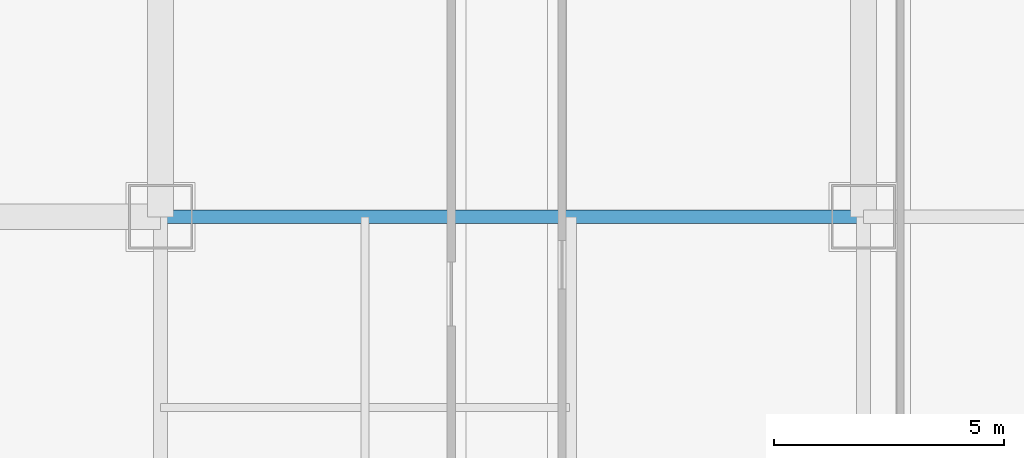
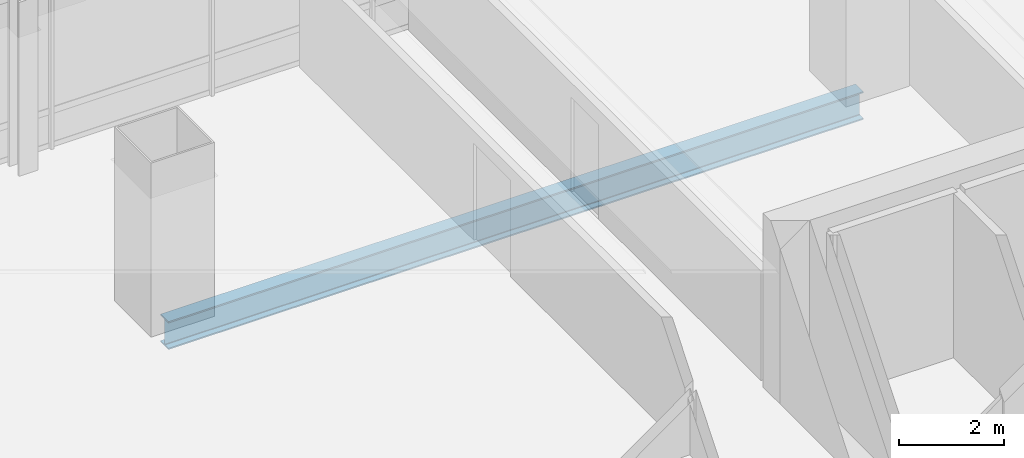
# One storey, part 20 of 38: 1 beam.
"""IFC4 building model written with IfcOpenShell, lengths in metres."""

from ifc_helpers import new_model, si_unit, direction, frame, origin, origin_2d, place, context, subcontext, project, spatial, i_section, extrude, material, material_profile, profile_set, type_object, element, save


model = new_model("IFC4")

# Units and contexts
model_context = context("Model", 3, precision=1e-05, world=origin(), true_north=direction((0.0, 1.0)))
body_context = subcontext(model_context, "Body", "Model", "MODEL_VIEW")
ifc_project = project(units=[si_unit("LENGTHUNIT", "METRE"), si_unit("AREAUNIT", "SQUARE_METRE"), si_unit("VOLUMEUNIT", "CUBIC_METRE"), si_unit("PLANEANGLEUNIT", "RADIAN"), si_unit("MASSUNIT", "GRAM", prefix="KILO")], contexts=[model_context])

# Site, building, storey
site_placement = place(None, origin())
site = spatial("IfcSite", under=ifc_project, at=site_placement, CompositionType="ELEMENT")
building_placement = place(site_placement, origin())
building = spatial("IfcBuilding", under=site, at=building_placement, Name="Punatoya Terracotta Tower", CompositionType="ELEMENT")
storey_placement = place(building_placement, frame((0.0, 0.0, 147.89990234375)))
storey = spatial("IfcBuildingStorey", under=building, at=storey_placement, Name="L34", CompositionType="ELEMENT", Elevation=147.89990234375)

# Beam
ifc_material = material(Name="Steel S355", Category="steel")
ifc_material_profile = material_profile(ifc_material, i_section(OverallWidth=0.300048828125, OverallDepth=0.64990234375, WebThickness=0.01611328125, FlangeThickness=0.031005859375, FilletRadius=0.01806640625, at=origin_2d()))
ifc_profile_set = profile_set([ifc_material_profile], Name="Steel S355")
beam_type = type_object("IfcBeamType", Name="BM-PRI-650", PredefinedType="BEAM", material=ifc_profile_set)
beam_placement = place(storey_placement, frame((-19.10009765625, 17.5, -0.544921875), z_axis=(1.0, 0.0, 0.0), x_axis=(0.0, 1.0, 0.0)))
element("IfcBeam", 1, at=beam_placement, inside=storey, type_object=beam_type, Name="BM-L34-RG-N1", PredefinedType="BEAM", context=body_context, shape_type="SweptSolid", body=[
    extrude(i_section(OverallWidth=0.300048828125, OverallDepth=0.64990234375, WebThickness=0.01611328125, FlangeThickness=0.031005859375, FilletRadius=0.01806640625, at=origin_2d()), origin(), (0.0, 0.0, 1.0), 15.300048828125),
])

save(model, "model.ifc")
